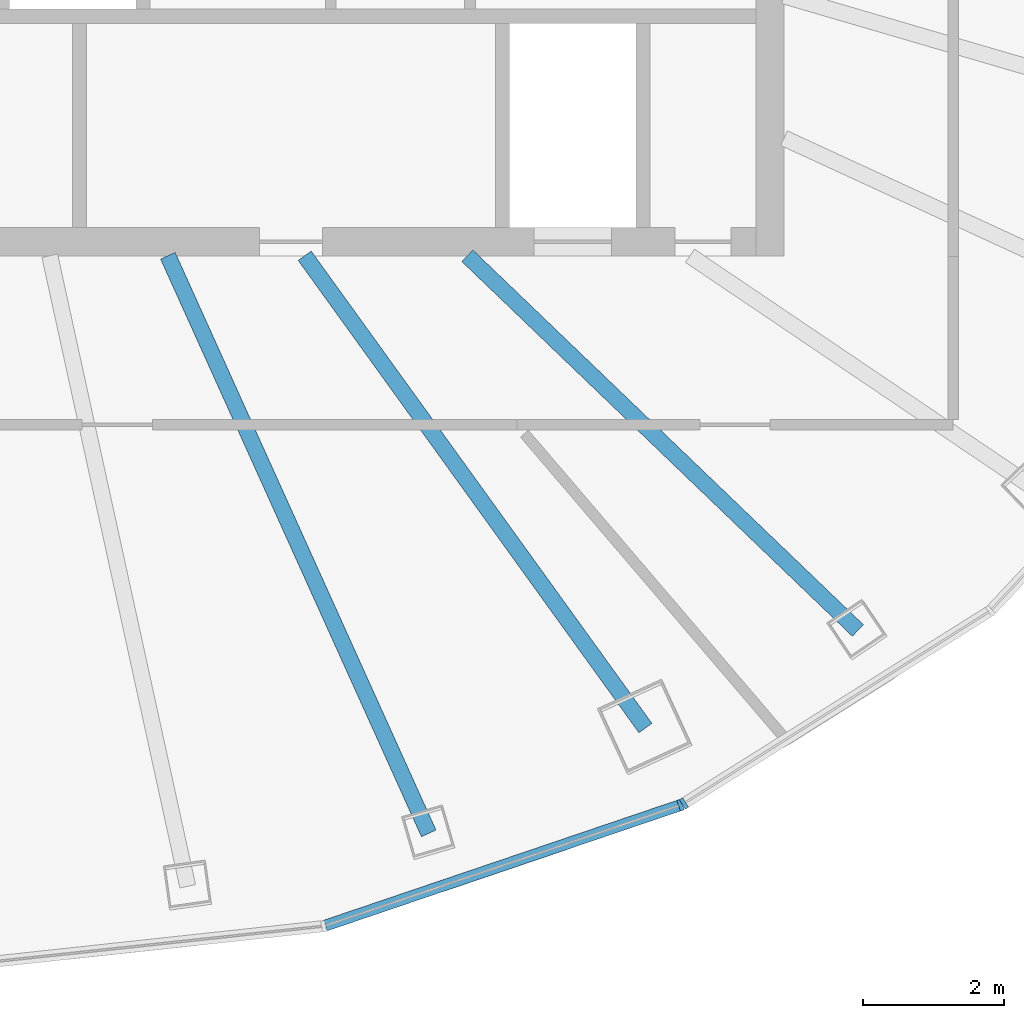
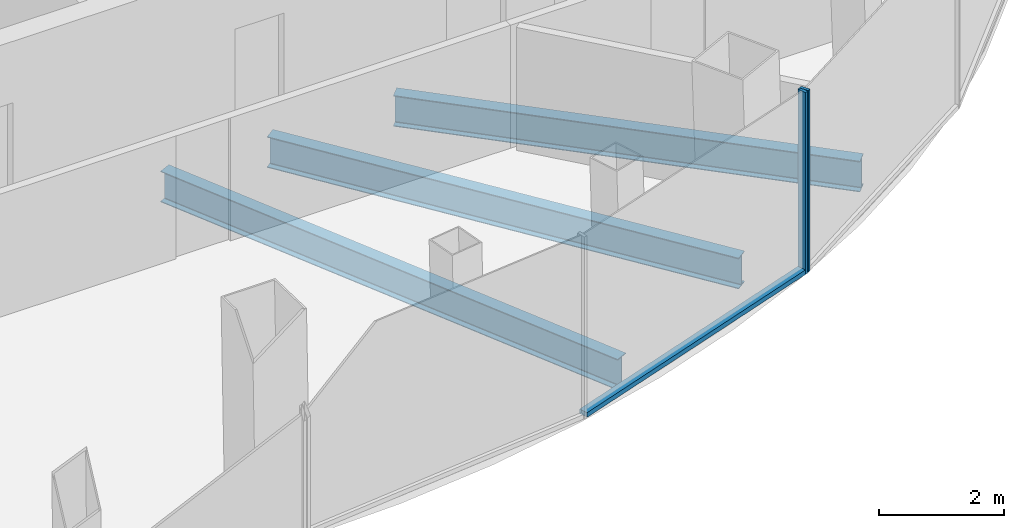
# One storey, part 3 of 11: 3 beams, 3 members, 2 elements without a shape of their own.
"""IFC4 building model written with IfcOpenShell, lengths in metres."""

import ifcopenshell
import ifcopenshell.guid

model = None  # the IFC model being written
_history = None  # IfcOwnerHistory: only IFC2X3 demands one
_inside = {}  # id of a spatial element -> (the spatial element, [elements in it])
_under = {}  # id of a project, library or spatial element -> (it, [spatial elements below it])
_declared = {}  # id of a project -> (the project, [libraries it declares])
_typed = {}  # id of a type object -> (the type object, [elements of that type])
_made_of = {}  # id of a material, layer set ... -> (it, [elements and type objects made of it])


def new_model(schema):
    """Start an empty IFC model of exactly this schema.

    Asked for "IFC4X3", IfcOpenShell would pick the latest addendum, in which some entities
    have other attributes; the version numbers below select the first issue.
    IFC2X3 requires an IfcOwnerHistory on every rooted entity: one is made here for all.
    """
    global model, _history
    if schema == "IFC4X3":
        model = ifcopenshell.file(schema_version=(4, 3, 0, 0))
    else:
        model = ifcopenshell.file(schema=schema)
    _inside.clear()
    _under.clear()
    _declared.clear()
    _typed.clear()
    _made_of.clear()
    _history = None
    if model.schema == "IFC2X3":
        org = make("IfcOrganization", Name="unknown")
        user = make(
            "IfcPersonAndOrganization",
            ThePerson=make("IfcPerson", FamilyName="unknown"),
            TheOrganization=org,
        )
        app = make(
            "IfcApplication",
            ApplicationDeveloper=org,
            Version="unknown",
            ApplicationFullName="unknown",
            ApplicationIdentifier="unknown",
        )
        _history = make(
            "IfcOwnerHistory",
            OwningUser=user,
            OwningApplication=app,
            ChangeAction="ADDED",
            CreationDate=0,
        )
    return model


def make(cls, **values):
    """One entity of the class cls with the attributes given. An attribute that is None is left unset."""
    return model.create_entity(
        cls, **{name: value for name, value in values.items() if value is not None}
    )


def rooted(cls, **values):
    """An entity with a GlobalId (a new one), such as an element, a storey or a relation."""
    return make(cls, GlobalId=ifcopenshell.guid.new(), OwnerHistory=_history, **values)


def si_unit(unit_type, name, prefix=None):
    """IfcSIUnit, for example si_unit("LENGTHUNIT", "METRE", prefix="MILLI")."""
    return make("IfcSIUnit", UnitType=unit_type, Prefix=prefix, Name=name)


def assignment(units):
    """IfcUnitAssignment: the units of a project."""
    return None if units is None else make("IfcUnitAssignment", Units=units)


def point(xyz):
    """IfcCartesianPoint."""
    return None if xyz is None else make("IfcCartesianPoint", Coordinates=xyz)


def direction(xyz):
    """IfcDirection."""
    return None if xyz is None else make("IfcDirection", DirectionRatios=xyz)


def frame(location, z_axis=None, x_axis=None):
    """IfcAxis2Placement3D, a coordinate frame: its origin and axes. An axis left out is left unset."""
    return make(
        "IfcAxis2Placement3D",
        Location=point(location),
        Axis=direction(z_axis),
        RefDirection=direction(x_axis),
    )


def frame_2d(location, x_axis=None):
    """IfcAxis2Placement2D, a coordinate frame in the plane: its origin and x axis."""
    return make(
        "IfcAxis2Placement2D", Location=point(location), RefDirection=direction(x_axis)
    )


def origin():
    """The frame at (0, 0, 0) with its axes left unset."""
    return frame((0.0, 0.0, 0.0))


def origin_2d():
    """The frame at (0, 0) in the plane with its x axis left unset."""
    return frame_2d((0.0, 0.0))


def place(relative_to, where):
    """IfcLocalPlacement: puts the frame where relative to a parent placement (None: the world)."""
    return make(
        "IfcLocalPlacement", PlacementRelTo=relative_to, RelativePlacement=where
    )


def context(
    kind, dimensions, precision=None, world=None, true_north=None, identifier=None
):
    """IfcGeometricRepresentationContext, for example the 3D "Model" context."""
    return make(
        "IfcGeometricRepresentationContext",
        ContextIdentifier=identifier,
        ContextType=kind,
        CoordinateSpaceDimension=dimensions,
        Precision=precision,
        WorldCoordinateSystem=world,
        TrueNorth=true_north,
    )


def subcontext(parent, identifier, kind, view, scale=None):
    """IfcGeometricRepresentationSubContext, for example "Body" below "Model"."""
    return make(
        "IfcGeometricRepresentationSubContext",
        ContextIdentifier=identifier,
        ContextType=kind,
        ParentContext=parent,
        TargetScale=scale,
        TargetView=view,
    )


def project(units=None, contexts=None):
    """IfcProject with its units and contexts."""
    return rooted(
        "IfcProject",
        Name="project",
        RepresentationContexts=contexts,
        UnitsInContext=assignment(units),
    )


def spatial(cls, under=None, at=None, **own):
    """A site, building, storey or space (cls), placed at a placement, below another one or the project."""
    s = rooted(cls, ObjectPlacement=at, **own)
    if under is not None:
        _under.setdefault(under.id(), (under, []))[1].append(s)
    return s


def profile(cls, at=None, kind="AREA", **sizes):
    """A parametric profile (cls). Its sizes go by their IFC names, for example OverallWidth=200.0."""
    return make(cls, ProfileType=kind, Position=at, **sizes)


def rectangle(**sizes):
    """IfcRectangleProfileDef."""
    return profile("IfcRectangleProfileDef", **sizes)


def i_section(**sizes):
    """IfcIShapeProfileDef."""
    return profile("IfcIShapeProfileDef", **sizes)


def extrude(swept, where, along, depth):
    """IfcExtrudedAreaSolid: the profile swept, set in the frame where, extruded along a direction by depth."""
    return make(
        "IfcExtrudedAreaSolid",
        SweptArea=swept,
        Position=where,
        ExtrudedDirection=direction(along),
        Depth=depth,
    )


def shape(context_of_items, identifier, shape_type, items):
    """IfcShapeRepresentation: the items that make up one representation, for example the "Body"."""
    return make(
        "IfcShapeRepresentation",
        ContextOfItems=context_of_items,
        RepresentationIdentifier=identifier,
        RepresentationType=shape_type,
        Items=items,
    )


def material(Name=None, Category=None):
    """IfcMaterial."""
    return make("IfcMaterial", Name=Name, Category=Category)


def layer(
    of_material, thickness, ventilated=None, Name=None, Category=None, Priority=None
):
    """IfcMaterialLayer: one layer of a wall or slab, of a material (None: an air gap)."""
    return make(
        "IfcMaterialLayer",
        Material=of_material,
        LayerThickness=thickness,
        IsVentilated=ventilated,
        Name=Name,
        Category=Category,
        Priority=Priority,
    )


def layer_set(layers, Name=None):
    """IfcMaterialLayerSet."""
    return make("IfcMaterialLayerSet", MaterialLayers=layers, LayerSetName=Name)


def material_profile(
    of_material, cross_section, Name=None, Category=None, Priority=None
):
    """IfcMaterialProfile: a cross section and its material."""
    return make(
        "IfcMaterialProfile",
        Name=Name,
        Material=of_material,
        Profile=cross_section,
        Priority=Priority,
        Category=Category,
    )


def profile_set(profiles, Name=None, composite=None):
    """IfcMaterialProfileSet."""
    return make(
        "IfcMaterialProfileSet",
        Name=Name,
        MaterialProfiles=profiles,
        CompositeProfile=composite,
    )


def made_of(thing, what):
    """Note that an element or type object is made of a material, layer set ...; save() writes the relation."""
    if what is not None:
        _made_of.setdefault(what.id(), (what, []))[1].append(thing)
    return thing


def type_object(cls, material=None, **own):
    """A type object (cls), such as IfcWallType, which elements share."""
    return made_of(rooted(cls, **own), material)


def element(
    cls,
    number,
    at=None,
    inside=None,
    cuts=None,
    type_object=None,
    material=None,
    context=None,
    identifier="Body",
    shape_type=None,
    held_by="IfcProductDefinitionShape",
    body=None,
    shapes=None,
    **own,
):
    """One element of the class cls, such as IfcWall. Its Tag is "e" and its number.

    at: its placement. inside: the storey or other place that contains it. cuts: it is an
    opening in that element (IfcRelVoidsElement). A single representation is given by context,
    identifier, shape_type and body (its items); several are given by shapes. held_by: the class
    of the entity that holds the representations. save() writes the other relations.
    """
    e = rooted(cls, Tag="e%d" % number, ObjectPlacement=at, **own)
    if body is not None:
        shapes = [shape(context, identifier, shape_type, body)]
    if shapes is not None:
        e.Representation = make(held_by, Representations=shapes)
    if inside is not None:
        _inside.setdefault(inside.id(), (inside, []))[1].append(e)
    if cuts is not None:
        rooted(
            "IfcRelVoidsElement", RelatingBuildingElement=cuts, RelatedOpeningElement=e
        )
    if type_object is not None:
        _typed.setdefault(type_object.id(), (type_object, []))[1].append(e)
    return made_of(e, material)


def aggregate(whole, parts):
    """IfcRelAggregates: a whole, such as a stair, and the parts it consists of."""
    return rooted("IfcRelAggregates", RelatingObject=whole, RelatedObjects=parts)


def save(model, path):
    """Write the relations noted so far, then the file.

    IfcRelAggregates (storeys below a building ...), IfcRelContainedInSpatialStructure (elements
    in a storey), IfcRelDefinesByType, IfcRelAssociatesMaterial and IfcRelDeclares: one each for
    every whole, place, type object, material and project.
    """
    for whole, parts in _under.values():
        aggregate(whole, parts)
    for where, things in _inside.values():
        rooted(
            "IfcRelContainedInSpatialStructure",
            RelatedElements=things,
            RelatingStructure=where,
        )
    for kind, things in _typed.values():
        rooted("IfcRelDefinesByType", RelatedObjects=things, RelatingType=kind)
    for what, things in _made_of.values():
        rooted("IfcRelAssociatesMaterial", RelatedObjects=things, RelatingMaterial=what)
    for by, libraries in _declared.values():
        rooted("IfcRelDeclares", RelatingContext=by, RelatedDefinitions=libraries)
    model.write(path)


model = new_model("IFC4")

# Units and contexts
model_context = context("Model", 3, precision=1e-05, world=origin(), true_north=direction((0.0, 1.0)))
body_context = subcontext(model_context, "Body", "Model", "MODEL_VIEW")
ifc_project = project(units=[si_unit("LENGTHUNIT", "METRE"), si_unit("AREAUNIT", "SQUARE_METRE"), si_unit("VOLUMEUNIT", "CUBIC_METRE"), si_unit("PLANEANGLEUNIT", "RADIAN"), si_unit("MASSUNIT", "GRAM", prefix="KILO")], contexts=[model_context])

# Site, building, storey
site_placement = place(None, origin())
site = spatial("IfcSite", under=ifc_project, at=site_placement, CompositionType="ELEMENT")
building_placement = place(site_placement, origin())
building = spatial("IfcBuilding", under=site, at=building_placement, Name="Siaravel Broadcast Tower", CompositionType="ELEMENT")
storey_placement = place(building_placement, frame((0.0, 0.0, 246.699951171875)))
storey = spatial("IfcBuildingStorey", under=building, at=storey_placement, Name="L60", CompositionType="ELEMENT", Elevation=246.699951171875)

# Beams
ifc_material_1 = material(Name="Steel S355", Category="steel")
ifc_material_profile_1 = material_profile(ifc_material_1, i_section(OverallWidth=0.2275390625, OverallDepth=0.6025390625, WebThickness=0.010498046875, FlangeThickness=0.014892578125, FilletRadius=0.0126953125, at=origin_2d()))
ifc_profile_set_1 = profile_set([ifc_material_profile_1], Name="Steel S355")
beam_type = type_object("IfcBeamType", Name="BM-UB 610x229x101", PredefinedType="BEAM", material=ifc_profile_set_1)
beam_1_placement = place(storey_placement, frame((6.955078125, -15.400390625, -0.451171875), z_axis=(-0.411581634, 0.911372898, 0.0), x_axis=(-0.911372898, -0.411581634, 0.0)))
element("IfcBeam", 1, at=beam_1_placement, inside=storey, type_object=beam_type, Name="Radial beam RB30", PredefinedType="BEAM", context=body_context, shape_type="SweptSolid", body=[
    extrude(i_section(OverallWidth=0.2275390625, OverallDepth=0.6025390625, WebThickness=0.010498046875, FlangeThickness=0.014892578125, FilletRadius=0.0126953125, at=origin_2d()), origin(), (0.0, 0.0, 1.0), 8.997802734375),
])
beam_2_placement = place(storey_placement, frame((10.031494140625, -13.905029296875, -0.451171875), z_axis=(-0.585061371, 0.810989021, 0.0), x_axis=(-0.810989021, -0.585061371, 0.0)))
element("IfcBeam", 2, at=beam_2_placement, inside=storey, type_object=beam_type, Name="Radial beam RB31", PredefinedType="BEAM", context=body_context, shape_type="SweptSolid", body=[
    extrude(i_section(OverallWidth=0.2275390625, OverallDepth=0.6025390625, WebThickness=0.010498046875, FlangeThickness=0.014892578125, FilletRadius=0.0126953125, at=origin_2d()), origin(), (0.0, 0.0, 1.0), 8.267822265625),
])
beam_3_placement = place(storey_placement, frame((13.0478515625, -12.52001953125, -0.451171875), z_axis=(-0.721555554, 0.692356543, 0.0), x_axis=(-0.692356543, -0.721555554, 0.0)))
element("IfcBeam", 3, at=beam_3_placement, inside=storey, type_object=beam_type, Name="Radial beam RB32", PredefinedType="BEAM", context=body_context, shape_type="SweptSolid", body=[
    extrude(i_section(OverallWidth=0.2275390625, OverallDepth=0.6025390625, WebThickness=0.010498046875, FlangeThickness=0.014892578125, FilletRadius=0.0126953125, at=origin_2d()), origin(), (0.0, 0.0, 1.0), 7.68408203125),
])

# Curtain wall, member
ifc_material_2 = material(Name="Aluminium 6063-T6", Category="aluminium")
ifc_layer = layer(ifc_material_2, 0.159912109375)
ifc_layer_set = layer_set([ifc_layer], Name="Aluminium 6063-T6")
curtain_wall_type = type_object("IfcCurtainWallType", Name="Unitised curtain wall, zone 4", PredefinedType="NOTDEFINED", material=ifc_layer_set)
curtain_wall_1_placement = place(storey_placement, origin())
curtain_wall_1 = element("IfcCurtainWall", 4, at=curtain_wall_1_placement, inside=storey, type_object=curtain_wall_type, Name="L60 Unitised curtain wall, zone 4 10", PredefinedType="NOTDEFINED")
ifc_material_profile_2 = material_profile(ifc_material_2, rectangle(XDim=0.159912109375, YDim=0.054931640625, at=origin_2d()))
ifc_profile_set_2 = profile_set([ifc_material_profile_2], Name="Aluminium 6063-T6")
member_type_1 = type_object("IfcMemberType", Name="CW-Z4 mullion", PredefinedType="MULLION", material=ifc_profile_set_2)
member_1_placement = place(storey_placement, frame((10.529296875, -14.998779296875, 0.0), z_axis=(0.0, 0.0, 1.0), x_axis=(-0.321301466, 0.946976963, 0.0)))
member_1 = element("IfcMember", 5, at=member_1_placement, type_object=member_type_1, Name="CW-Z4 mullion 3", PredefinedType="MULLION", context=body_context, shape_type="SweptSolid", body=[
    extrude(rectangle(XDim=0.159912109375, YDim=0.054931640625, at=origin_2d()), origin(), (0.0, 0.0, 1.0), 3.550048828125),
])

curtain_wall_2_placement = place(storey_placement, origin())
curtain_wall_2 = element("IfcCurtainWall", 6, at=curtain_wall_2_placement, inside=storey, type_object=curtain_wall_type, Name="L60 Unitised curtain wall, zone 4 11", PredefinedType="NOTDEFINED")
member_2_placement = place(storey_placement, frame((10.57861328125, -14.9755859375, 0.0), z_axis=(0.0, 0.0, 1.0), x_axis=(-0.532150463, 0.846649801, 0.0)))
member_2 = element("IfcMember", 7, at=member_2_placement, type_object=member_type_1, Name="CW-Z4 mullion 1", PredefinedType="MULLION", context=body_context, shape_type="SweptSolid", body=[
    extrude(rectangle(XDim=0.159912109375, YDim=0.054931640625, at=origin_2d()), origin(), (0.0, 0.0, 1.0), 3.550048828125),
])
aggregate(curtain_wall_2, [member_2])

# Member
ifc_material_profile_3 = material_profile(ifc_material_2, rectangle(XDim=0.159912109375, YDim=0.090087890625, at=origin_2d()))
ifc_profile_set_3 = profile_set([ifc_material_profile_3], Name="Aluminium 6063-T6")
member_type_2 = type_object("IfcMemberType", Name="CW-Z4 transom", PredefinedType="USERDEFINED", material=ifc_profile_set_3)
member_3_placement = place(storey_placement, frame((5.489501953125, -16.708984375, 0.045166015625), z_axis=(0.946972687, 0.321314067, 0.0), x_axis=(-0.321314067, 0.946972687, 0.0)))
member_3 = element("IfcMember", 8, at=member_3_placement, type_object=member_type_2, Name="CW-Z4 transom 2", ObjectType="TRANSOM", PredefinedType="USERDEFINED", context=body_context, shape_type="SweptSolid", body=[
    extrude(rectangle(XDim=0.159912109375, YDim=0.090087890625, at=origin_2d()), origin(), (0.0, 0.0, 1.0), 5.29443359375),
])

aggregate(curtain_wall_1, [member_1, member_3])

save(model, "model.ifc")
